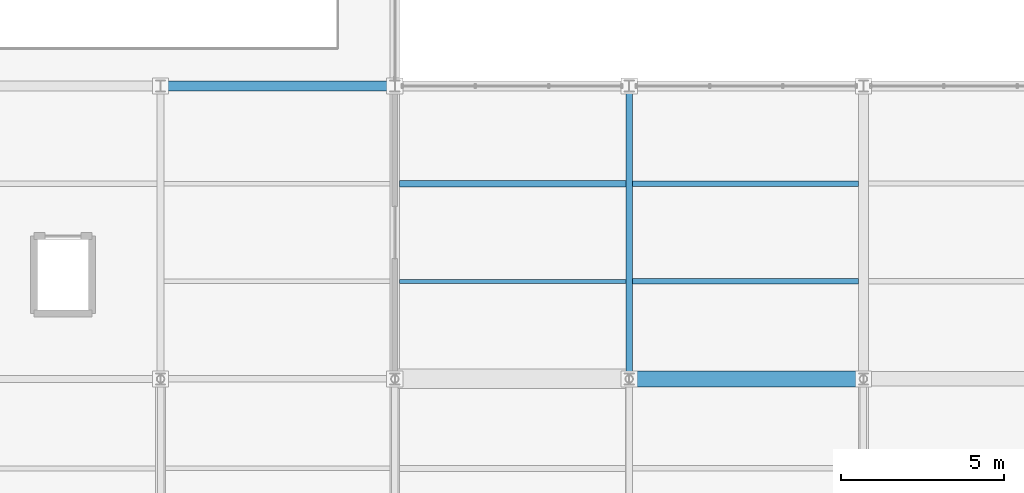
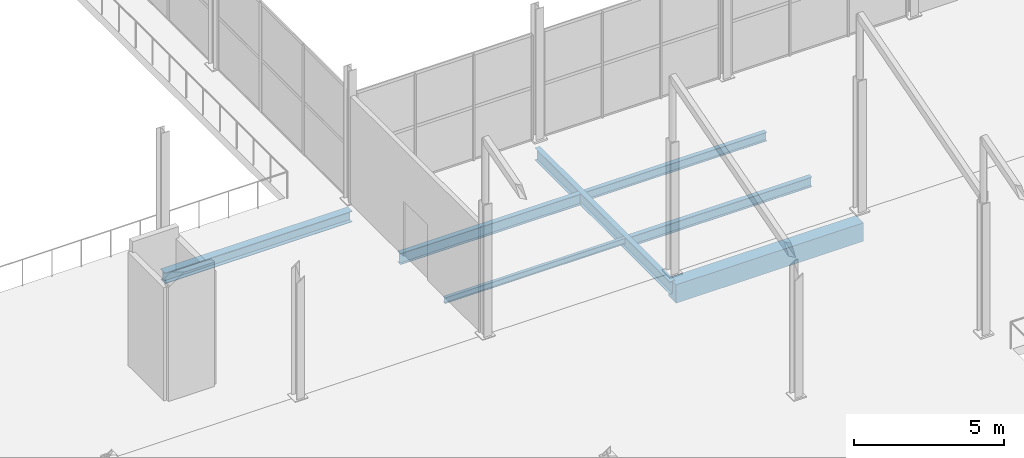
# One storey, part 38 of 141: 7 beams.
"""IFC4 building model written with IfcOpenShell, lengths in metres."""

from ifc_helpers import new_model, si_unit, direction, frame, origin, origin_2d, place, context, subcontext, project, spatial, rectangle, i_section, extrude, material, material_profile, profile_set, type_object, element, save


model = new_model("IFC4")

# Units and contexts
model_context = context("Model", 3, precision=1e-05, world=origin(), true_north=direction((0.0, 1.0)))
body_context = subcontext(model_context, "Body", "Model", "MODEL_VIEW")
ifc_project = project(units=[si_unit("LENGTHUNIT", "METRE"), si_unit("AREAUNIT", "SQUARE_METRE"), si_unit("VOLUMEUNIT", "CUBIC_METRE"), si_unit("PLANEANGLEUNIT", "RADIAN"), si_unit("MASSUNIT", "GRAM", prefix="KILO")], contexts=[model_context])

# Site, building, storey
site_placement = place(None, origin())
site = spatial("IfcSite", under=ifc_project, at=site_placement, CompositionType="ELEMENT")
building_placement = place(site_placement, origin())
building = spatial("IfcBuilding", under=site, at=building_placement, Name="Sundgate Opera House", CompositionType="ELEMENT")
storey_placement = place(building_placement, frame((0.0, 0.0, 11.39990234375)))
storey = spatial("IfcBuildingStorey", under=building, at=storey_placement, Name="L02", CompositionType="ELEMENT", Elevation=11.39990234375)

# Beams
ifc_material_1 = material(Name="Steel S355J2", Category="steel")
ifc_material_profile_1 = material_profile(ifc_material_1, i_section(OverallWidth=0.300048828125, OverallDepth=0.43994140625, WebThickness=0.011474609375, FlangeThickness=0.02099609375, at=origin_2d()), Name="HEA 450")
ifc_profile_set_1 = profile_set([ifc_material_profile_1], Name="Steel S355J2")
beam_type_1 = type_object("IfcBeamType", Name="BM-GR-HEA450", PredefinedType="BEAM", material=ifc_profile_set_1)
beam_1_placement = place(storey_placement, frame((109.800048828125, 42.0, -0.56982421875), z_axis=(1.0, 0.0, 0.0), x_axis=(0.0, 1.0, 0.0)))
element("IfcBeam", 1, at=beam_1_placement, inside=storey, type_object=beam_type_1, Name="L02 Primary E-W Girder B2011", PredefinedType="BEAM", context=body_context, shape_type="SweptSolid", body=[
    extrude(i_section(OverallWidth=0.300048828125, OverallDepth=0.43994140625, WebThickness=0.011474609375, FlangeThickness=0.02099609375, at=origin_2d()), origin(), (0.0, 0.0, 1.0), 7.199951171875),
])
ifc_material_2 = material(Name="Steel S355J2", Category="steel")
ifc_material_profile_2 = material_profile(ifc_material_2, i_section(OverallWidth=0.199951171875, OverallDepth=0.5, WebThickness=0.01025390625, FlangeThickness=0.01611328125, at=origin_2d()), Name="IPE 500")
ifc_profile_set_2 = profile_set([ifc_material_profile_2], Name="Steel S355J2")
beam_type_2 = type_object("IfcBeamType", Name="BM-GR-IPE500", PredefinedType="BEAM", material=ifc_profile_set_2)
beam_2_placement = place(storey_placement, frame((124.199951171875, 33.0, -0.599853515625), z_axis=(0.0, 1.0, 0.0), x_axis=(-1.0, 0.0, 0.0)))
element("IfcBeam", 2, at=beam_2_placement, inside=storey, type_object=beam_type_2, Name="L02 Primary N-S Girder B1895", PredefinedType="BEAM", context=body_context, shape_type="SweptSolid", body=[
    extrude(i_section(OverallWidth=0.199951171875, OverallDepth=0.5, WebThickness=0.01025390625, FlangeThickness=0.01611328125, at=origin_2d()), origin(), (0.0, 0.0, 1.0), 9.0),
])
ifc_material_3 = material(Name="Steel S355J2", Category="steel")
ifc_material_profile_3 = material_profile(ifc_material_3, i_section(OverallWidth=0.1201171875, OverallDepth=0.239990234375, WebThickness=0.006103515625, FlangeThickness=0.009765625, at=origin_2d()), Name="IPE 240")
ifc_profile_set_3 = profile_set([ifc_material_profile_3], Name="Steel S355J2")
beam_type_3 = type_object("IfcBeamType", Name="BM-JS-IPE240", PredefinedType="JOIST", material=ifc_profile_set_3)
beam_3_placement = place(storey_placement, frame((117.14990234375, 36.0, -0.469970703125), z_axis=(1.0, 0.0, 0.0), x_axis=(0.0, 1.0, 0.0)))
element("IfcBeam", 3, at=beam_3_placement, inside=storey, type_object=beam_type_3, Name="L02 Secondary Floor Joist B2219", PredefinedType="JOIST", context=body_context, shape_type="SweptSolid", body=[
    extrude(i_section(OverallWidth=0.1201171875, OverallDepth=0.239990234375, WebThickness=0.006103515625, FlangeThickness=0.009765625, at=origin_2d()), origin(), (0.0, 0.0, 1.0), 6.9501953125),
])
ifc_material_4 = material(Name="Steel S355J2", Category="steel")
ifc_material_profile_4 = material_profile(ifc_material_4, i_section(OverallWidth=0.169921875, OverallDepth=0.360107421875, WebThickness=0.008056640625, FlangeThickness=0.0126953125, at=origin_2d()), Name="IPE 360")
ifc_profile_set_4 = profile_set([ifc_material_profile_4], Name="Steel S355J2")
beam_type_4 = type_object("IfcBeamType", Name="BM-JS-IPE360", PredefinedType="JOIST", material=ifc_profile_set_4)
beam_4_placement = place(storey_placement, frame((124.300048828125, 39.0, -0.52978515625), z_axis=(1.0, 0.0, 0.0), x_axis=(0.0, 1.0, 0.0)))
element("IfcBeam", 4, at=beam_4_placement, inside=storey, type_object=beam_type_4, Name="L02 Secondary Floor Joist B2222", PredefinedType="JOIST", context=body_context, shape_type="SweptSolid", body=[
    extrude(i_section(OverallWidth=0.169921875, OverallDepth=0.360107421875, WebThickness=0.008056640625, FlangeThickness=0.0126953125, at=origin_2d()), origin(), (0.0, 0.0, 1.0), 6.949951171875),
])
ifc_material_5 = material(Name="Steel S355J2", Category="steel")
ifc_material_profile_5 = material_profile(ifc_material_5, i_section(OverallWidth=0.179931640625, OverallDepth=0.39990234375, WebThickness=0.008544921875, FlangeThickness=0.013427734375, at=origin_2d()), Name="IPE 400")
ifc_profile_set_5 = profile_set([ifc_material_profile_5], Name="Steel S355J2")
beam_type_5 = type_object("IfcBeamType", Name="BM-JS-IPE400", PredefinedType="JOIST", material=ifc_profile_set_5)
beam_5_placement = place(storey_placement, frame((124.300048828125, 36.0, -0.5498046875), z_axis=(1.0, 0.0, 0.0), x_axis=(0.0, 1.0, 0.0)))
element("IfcBeam", 5, at=beam_5_placement, inside=storey, type_object=beam_type_5, Name="L02 Secondary Floor Joist B2221", PredefinedType="JOIST", context=body_context, shape_type="SweptSolid", body=[
    extrude(i_section(OverallWidth=0.179931640625, OverallDepth=0.39990234375, WebThickness=0.008544921875, FlangeThickness=0.013427734375, at=origin_2d()), origin(), (0.0, 0.0, 1.0), 6.949951171875),
])
ifc_material_6 = material(Name="Steel S355J2", Category="steel")
ifc_material_profile_6 = material_profile(ifc_material_6, i_section(OverallWidth=0.18994140625, OverallDepth=0.449951171875, WebThickness=0.009521484375, FlangeThickness=0.0146484375, at=origin_2d()), Name="IPE 450")
ifc_profile_set_6 = profile_set([ifc_material_profile_6], Name="Steel S355J2")
beam_type_6 = type_object("IfcBeamType", Name="BM-JS-IPE450", PredefinedType="JOIST", material=ifc_profile_set_6)
beam_6_placement = place(storey_placement, frame((117.14990234375, 39.0, -0.574951171875), z_axis=(1.0, 0.0, 0.0), x_axis=(0.0, 1.0, 0.0)))
element("IfcBeam", 6, at=beam_6_placement, inside=storey, type_object=beam_type_6, Name="L02 Secondary Floor Joist B2220", PredefinedType="JOIST", context=body_context, shape_type="SweptSolid", body=[
    extrude(i_section(OverallWidth=0.18994140625, OverallDepth=0.449951171875, WebThickness=0.009521484375, FlangeThickness=0.0146484375, at=origin_2d()), origin(), (0.0, 0.0, 1.0), 6.9501953125),
])
ifc_material_7 = material(Name="Concrete C40/50", Category="concrete")
ifc_material_profile_7 = material_profile(ifc_material_7, rectangle(XDim=0.5, YDim=0.75, at=origin_2d()), Name="RC 500x750")
ifc_profile_set_7 = profile_set([ifc_material_profile_7], Name="Concrete C40/50")
beam_type_7 = type_object("IfcBeamType", Name="BM-RC-500x750", PredefinedType="BEAM", material=ifc_profile_set_7)
beam_7_placement = place(storey_placement, frame((124.199951171875, 33.0, -0.724853515625), z_axis=(1.0, 0.0, 0.0), x_axis=(0.0, 1.0, 0.0)))
element("IfcBeam", 7, at=beam_7_placement, inside=storey, type_object=beam_type_7, Name="L02 Primary E-W Girder B2001", PredefinedType="BEAM", context=body_context, shape_type="SweptSolid", body=[
    extrude(rectangle(XDim=0.5, YDim=0.75, at=origin_2d()), origin(), (0.0, 0.0, 1.0), 7.199951171875),
])

save(model, "model.ifc")
